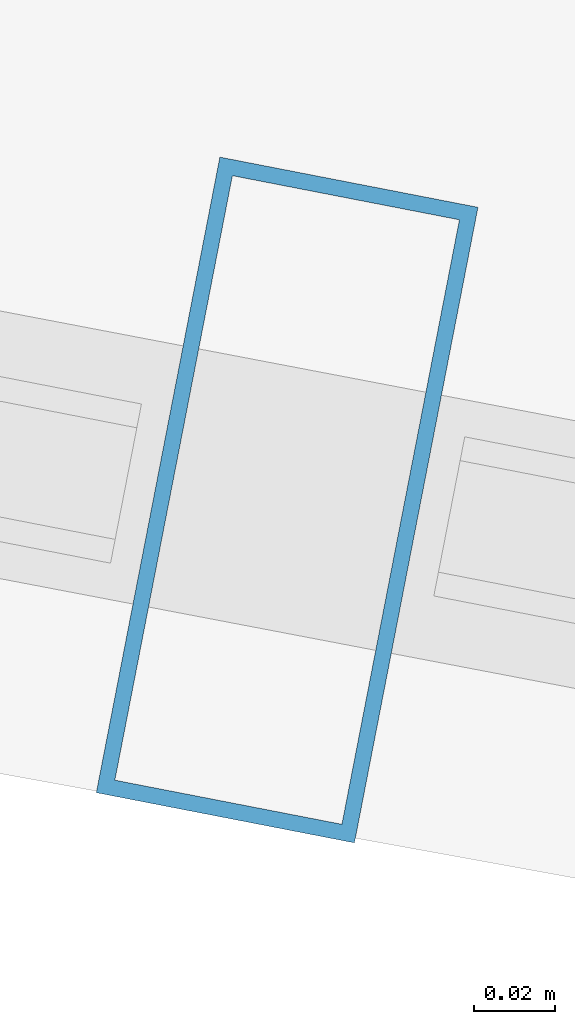
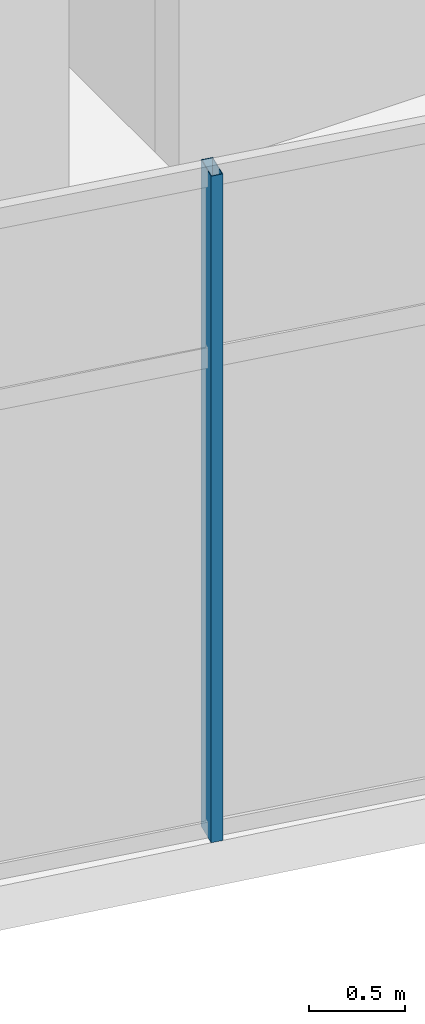
# One storey, part 40 of 114: 1 member, 1 element without a shape of its own.
"""IFC4 building model written with IfcOpenShell, lengths in metres."""

from ifc_helpers import new_model, si_unit, direction, frame, origin, origin_2d, place, context, subcontext, project, spatial, hollow_rectangle, extrude, material, layer, layer_set, material_profile, profile_set, type_object, element, aggregate, save


model = new_model("IFC4")

# Units and contexts
model_context = context("Model", 3, precision=1e-05, world=origin(), true_north=direction((0.0, 1.0)))
body_context = subcontext(model_context, "Body", "Model", "MODEL_VIEW")
ifc_project = project(units=[si_unit("LENGTHUNIT", "METRE"), si_unit("AREAUNIT", "SQUARE_METRE"), si_unit("VOLUMEUNIT", "CUBIC_METRE"), si_unit("PLANEANGLEUNIT", "RADIAN"), si_unit("MASSUNIT", "GRAM", prefix="KILO")], contexts=[model_context])

# Site, building, storey
site_placement = place(None, origin())
site = spatial("IfcSite", under=ifc_project, at=site_placement, CompositionType="ELEMENT")
building_placement = place(site_placement, origin())
building = spatial("IfcBuilding", under=site, at=building_placement, Name="Chalmorin Arch Market", CompositionType="ELEMENT")
storey_placement = place(building_placement, frame((0.0, 0.0, 9.60009765625)))
storey = spatial("IfcBuildingStorey", under=building, at=storey_placement, Name="L02", CompositionType="ELEMENT", Elevation=9.60009765625)

# Curtain wall, member
ifc_material = material(Name="Aluminium 6063-T6", Category="aluminium")
ifc_layer = layer(ifc_material, 0.159912109375)
ifc_layer_set = layer_set([ifc_layer], Name="Aluminium 6063-T6")
curtain_wall_type = type_object("IfcCurtainWallType", Name="CulinaryStudioCurtainWall-CW3-6660x4220", PredefinedType="NOTDEFINED", material=ifc_layer_set)
curtain_wall_placement = place(storey_placement, origin())
curtain_wall = element("IfcCurtainWall", 1, at=curtain_wall_placement, inside=storey, type_object=curtain_wall_type, Name="CW-03-154", PredefinedType="NOTDEFINED")
ifc_material_profile = material_profile(ifc_material, hollow_rectangle(XDim=0.06494140625, YDim=0.159912109375, WallThickness=0.00390625, at=origin_2d()), Name="ALU65X160X4")
ifc_profile_set = profile_set([ifc_material_profile], Name="Aluminium 6063-T6")
member_type = type_object("IfcMemberType", Name="CurtainWallMullion-65x160", PredefinedType="MULLION", material=ifc_profile_set)
member_placement = place(storey_placement, frame((59.17041015625, 69.249267578125, 0.0), z_axis=(0.0, 0.0, 1.0), x_axis=(0.981627183448, -0.190808995377, 0.0)))
member = element("IfcMember", 2, at=member_placement, type_object=member_type, Name="ML-154-03", PredefinedType="MULLION", context=body_context, shape_type="SweptSolid", body=[
    extrude(hollow_rectangle(XDim=0.06494140625, YDim=0.159912109375, WallThickness=0.00390625, at=origin_2d()), origin(), (0.0, 0.0, 1.0), 4.219970703125),
])
aggregate(curtain_wall, [member])

save(model, "model.ifc")
